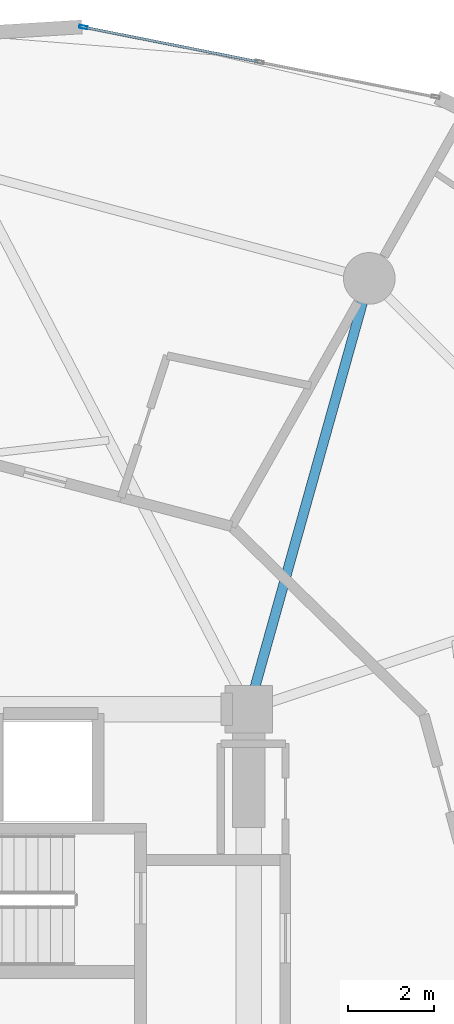
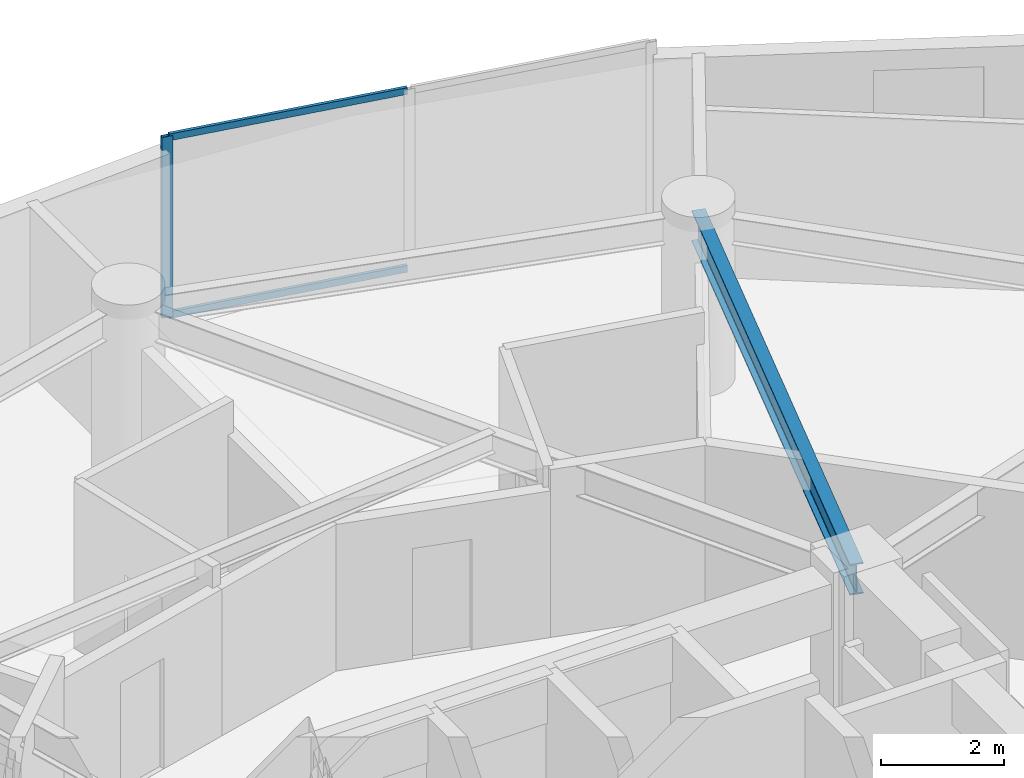
# One storey, part 15 of 26: 3 members, 1 beam, 1 element without a shape of its own.
"""IFC4 building model written with IfcOpenShell, lengths in metres."""

from ifc_helpers import new_model, si_unit, direction, frame, origin, origin_2d, place, context, subcontext, project, spatial, hollow_rectangle, i_section, extrude, source, transform, mapped, material, layer, layer_set, material_profile, profile_set, type_object, element, aggregate, save


model = new_model("IFC4")

# Units and contexts
model_context = context("Model", 3, precision=1e-05, world=origin(), true_north=direction((0.0, 1.0)))
body_context = subcontext(model_context, "Body", "Model", "MODEL_VIEW")
ifc_project = project(units=[si_unit("LENGTHUNIT", "METRE"), si_unit("AREAUNIT", "SQUARE_METRE"), si_unit("VOLUMEUNIT", "CUBIC_METRE"), si_unit("PLANEANGLEUNIT", "RADIAN"), si_unit("MASSUNIT", "GRAM", prefix="KILO")], contexts=[model_context])

# Site, building, storey
site_placement = place(None, origin())
site = spatial("IfcSite", under=ifc_project, at=site_placement, CompositionType="ELEMENT")
building_placement = place(site_placement, origin())
building = spatial("IfcBuilding", under=site, at=building_placement, Name="Solvirekh Grand Hotel", CompositionType="ELEMENT")
storey_placement = place(building_placement, frame((0.0, 0.0, 32.0)))
storey = spatial("IfcBuildingStorey", under=building, at=storey_placement, Name="L06", CompositionType="ELEMENT", Elevation=32.0)

# Beam
ifc_material_1 = material(Name="Steel S355", Category="steel")
ifc_material_profile_1 = material_profile(ifc_material_1, i_section(OverallWidth=0.22998046875, OverallDepth=0.615966796875, WebThickness=0.013916015625, FlangeThickness=0.02392578125, FilletRadius=0.014892578125, at=origin_2d()), Name="W610X174")
ifc_profile_set_1 = profile_set([ifc_material_profile_1], Name="Steel S355")
beam_type = type_object("IfcBeamType", Name="Beam_Primary_W610H", PredefinedType="BEAM", material=ifc_profile_set_1)
beam_placement = place(storey_placement, frame((6.5, 6.10009765625, 3.031982421875), z_axis=(0.269439084681, 0.963017434757, 0.0), x_axis=(-0.963017434757, 0.269439084681, 0.0)))
element("IfcBeam", 1, at=beam_placement, inside=storey, type_object=beam_type, Name="L06 radial floor beam R03", PredefinedType="BEAM", context=body_context, shape_type="SweptSolid", body=[
    extrude(i_section(OverallWidth=0.22998046875, OverallDepth=0.615966796875, WebThickness=0.013916015625, FlangeThickness=0.02392578125, FilletRadius=0.014892578125, at=origin_2d()), origin(), (0.0, 0.0, 1.0), 10.39208984375),
])

# Curtain wall, members
ifc_material_2 = material(Name="Anodized Bronze Aluminium 6063-T6", Category="aluminium")
ifc_layer = layer(ifc_material_2, 0.18994140625)
ifc_layer_set = layer_set([ifc_layer], Name="Anodized Bronze Aluminium 6063-T6")
curtain_wall_type = type_object("IfcCurtainWallType", Name="CW_Sys2_LowZoneFlushBronzeCW", PredefinedType="NOTDEFINED", material=ifc_layer_set)
curtain_wall_placement = place(storey_placement, origin())
curtain_wall = element("IfcCurtainWall", 2, at=curtain_wall_placement, inside=storey, type_object=curtain_wall_type, Name="L06 unitised bronze-glass curtain wall CW-L06-C05", PredefinedType="NOTDEFINED")
ifc_material_profile_2 = material_profile(ifc_material_2, hollow_rectangle(XDim=0.070068359375, YDim=0.18994140625, WallThickness=0.0048828125, at=origin_2d()), Name="ALU RHS 190X70X5")
ifc_profile_set_2 = profile_set([ifc_material_profile_2], Name="Anodized Bronze Aluminium 6063-T6")
member_type_1 = type_object("IfcMemberType", Name="CWMullion_Sys2", PredefinedType="MULLION", material=ifc_profile_set_2)
shared_shape_1 = source(origin(), body_context, "Body", "SweptSolid", [
    extrude(hollow_rectangle(XDim=0.070068359375, YDim=0.18994140625, WallThickness=0.0048828125, at=origin_2d()), origin(), (0.0, 0.0, 1.0), 3.60009765625),
])
member_1_placement = place(storey_placement, frame((2.6572265625, 21.944091796875, 0.0), z_axis=(0.0, 0.0, 1.0), x_axis=(-0.194104185406, -0.9809809199, 0.0)))
member_1 = element("IfcMember", 3, at=member_1_placement, type_object=member_type_1, Name="U02 mullion 3", PredefinedType="MULLION", context=body_context, shape_type="MappedRepresentation", body=[
    mapped(shared_shape_1, transform((0.0, 0.0, 0.0), x_axis=(1.0, 0.0, 0.0), y_axis=(0.0, 1.0, 0.0), z_axis=(0.0, 0.0, 1.0), scale=1.0)),
])
ifc_material_profile_3 = material_profile(ifc_material_2, hollow_rectangle(XDim=0.06005859375, YDim=0.135009765625, WallThickness=0.00390625, at=origin_2d()), Name="ALU RHS 135X60X4")
ifc_profile_set_3 = profile_set([ifc_material_profile_3], Name="Anodized Bronze Aluminium 6063-T6")
member_type_2 = type_object("IfcMemberType", Name="CWTransom_Sys2", PredefinedType="USERDEFINED", material=ifc_profile_set_3)
shared_shape_2 = source(origin(), body_context, "Body", "SweptSolid", [
    extrude(hollow_rectangle(XDim=0.06005859375, YDim=0.135009765625, WallThickness=0.00390625, at=origin_2d()), origin(), (0.0, 0.0, 1.0), 4.1015625),
])
member_2_placement = place(storey_placement, frame((6.715087890625, 21.141357421875, 0.030029296875), z_axis=(-0.980979281439, 0.194112465824, 0.0), x_axis=(-0.194112465824, -0.980979281439, 0.0)))
member_2 = element("IfcMember", 4, at=member_2_placement, type_object=member_type_2, Name="U02 transom 2.1", ObjectType="TRANSOM", PredefinedType="USERDEFINED", context=body_context, shape_type="MappedRepresentation", body=[
    mapped(shared_shape_2, transform((0.0, 0.0, 0.0), x_axis=(1.0, 0.0, 0.0), y_axis=(0.0, 1.0, 0.0), z_axis=(0.0, 0.0, 1.0), scale=1.0)),
])
member_3_placement = place(storey_placement, frame((6.715087890625, 21.141357421875, 3.570068359375), z_axis=(-0.980979281439, 0.194112465824, 0.0), x_axis=(-0.194112465824, -0.980979281439, 0.0)))
member_3 = element("IfcMember", 5, at=member_3_placement, type_object=member_type_2, Name="U02 transom 2.2", ObjectType="TRANSOM", PredefinedType="USERDEFINED", context=body_context, shape_type="MappedRepresentation", body=[
    mapped(shared_shape_2, transform((0.0, 0.0, 0.0), x_axis=(1.0, 0.0, 0.0), y_axis=(0.0, 1.0, 0.0), z_axis=(0.0, 0.0, 1.0), scale=1.0)),
])
aggregate(curtain_wall, [member_1, member_2, member_3])

save(model, "model.ifc")
